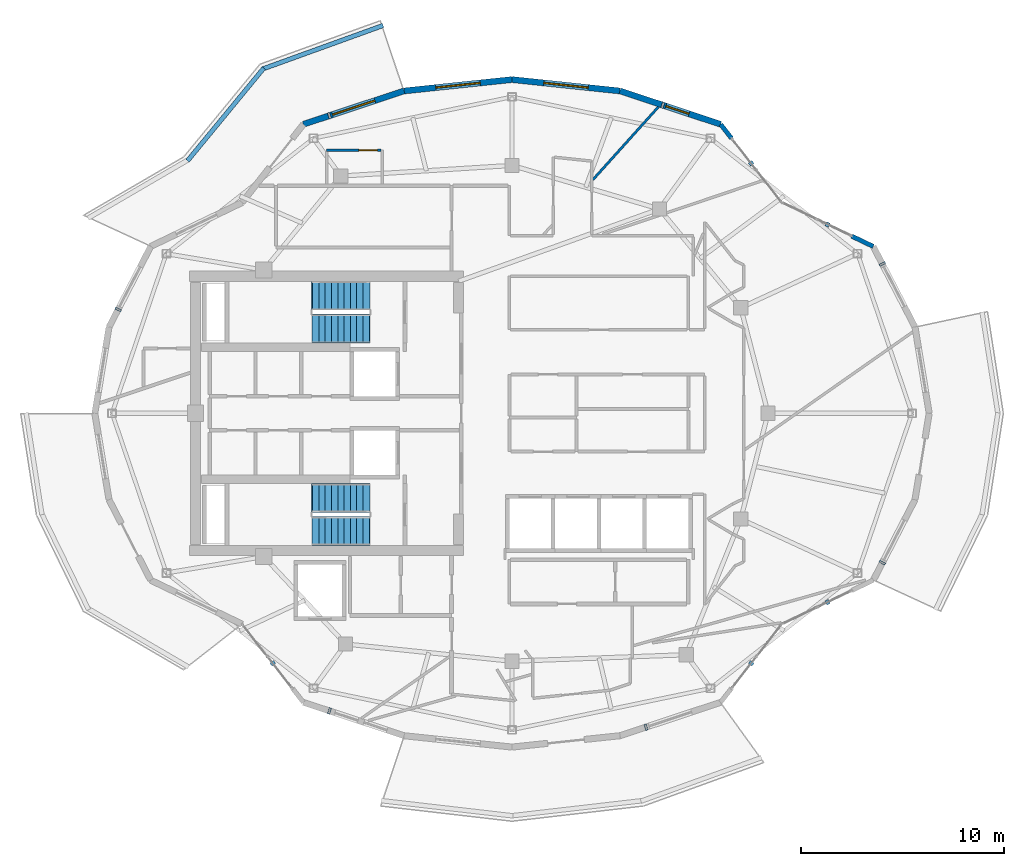
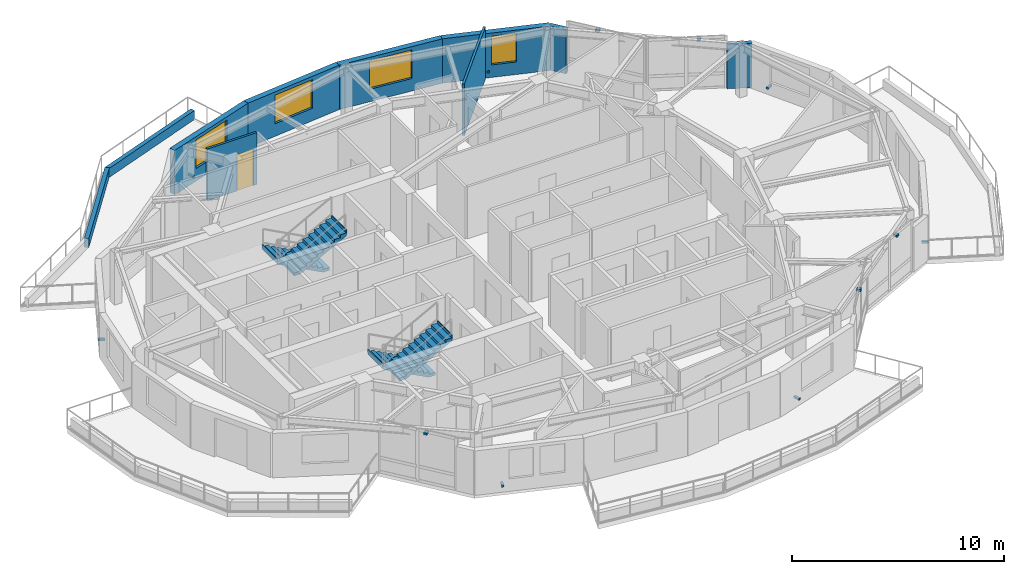
# One storey, part 11 of 15: 12 discrete accessories, 10 walls, 4 stair flights, 4 windows, 1 door, 5 openings, 2 elements without a shape of their own.
"""IFC4 building model written with IfcOpenShell, lengths in metres."""

from ifc_helpers import new_model, si_unit, direction, frame, frame_2d, origin, origin_2d, place, context, subcontext, project, spatial, polyline, rectangle, outline, extrude, material, layer, layer_set, type_object, element, fill, aggregate, save


model = new_model("IFC4")

# Units and contexts
model_context = context("Model", 3, precision=1e-05, world=origin(), true_north=direction((0.0, 1.0)))
body_context = subcontext(model_context, "Body", "Model", "MODEL_VIEW")
ifc_project = project(units=[si_unit("LENGTHUNIT", "METRE"), si_unit("AREAUNIT", "SQUARE_METRE"), si_unit("VOLUMEUNIT", "CUBIC_METRE"), si_unit("PLANEANGLEUNIT", "RADIAN"), si_unit("MASSUNIT", "GRAM", prefix="KILO")], contexts=[model_context])

# Site, building, storey
site_placement = place(None, origin())
site = spatial("IfcSite", under=ifc_project, at=site_placement, CompositionType="ELEMENT")
building_placement = place(site_placement, origin())
building = spatial("IfcBuilding", under=site, at=building_placement, Name="Kolvaren Gate Tower and Convention Centre", CompositionType="ELEMENT")
storey_placement = place(building_placement, frame((0.0, 0.0, 272.300048828125)))
storey = spatial("IfcBuildingStorey", under=building, at=storey_placement, Name="L74", CompositionType="ELEMENT", Elevation=272.300048828125)

# Wall
ifc_material_1 = material(Name="Fire-Rated Acoustic Gypsum Stud Partition", Category="gypsum")
ifc_layer_1 = layer(ifc_material_1, 0.1201171875)
ifc_layer_set_1 = layer_set([ifc_layer_1], Name="Fire-Rated Acoustic Gypsum Stud Partition")
wall_type_1 = type_object("IfcWallType", Name="ARCH-WL-PART-120", PredefinedType="PARTITIONING", material=ifc_layer_set_1)
wall_1_placement = place(storey_placement, frame((34.112060546875, 38.5029296875, 0.0), z_axis=(0.0, 0.0, 1.0), x_axis=(0.668788041067, 0.743453129744, 0.0)))
element("IfcWall", 1, at=wall_1_placement, inside=storey, type_object=wall_type_1, Name="Interior Partition WL-L74-INT-082", PredefinedType="PARTITIONING", context=body_context, shape_type="SweptSolid", body=[
    extrude(rectangle(XDim=4.809814453125, YDim=0.1201171875, at=frame_2d((2.40478515625, 0.0))), origin(), (0.0, 0.0, 1.0), 2.97998046875),
])

# Wall, opening, door
wall_2_placement = place(storey_placement, frame((21.0, 39.949951171875, 0.0), z_axis=(0.0, 0.0, 1.0), x_axis=(1.0, 0.0, 0.0)))
wall_2 = element("IfcWall", 2, at=wall_2_placement, inside=storey, type_object=wall_type_1, Name="Interior Partition WL-L74-INT-084", PredefinedType="PARTITIONING", context=body_context, shape_type="SweptSolid", body=[
    extrude(rectangle(XDim=2.68798828125, YDim=0.1201171875, at=frame_2d((1.343994140625, 0.0))), origin(), (0.0, 0.0, 1.0), 2.97998046875),
])
opening_1_placement = place(wall_2_placement, frame((1.593994140625, 0.0, 0.0)))
opening_1 = element("IfcOpeningElement", 3, at=opening_1_placement, cuts=wall_2, Name="Opening DW-01", PredefinedType="OPENING", context=body_context, shape_type="SweptSolid", body=[
    extrude(rectangle(XDim=0.89990234375, YDim=2.10009765625, at=frame_2d((0.449951171875, 1.050048828125))), frame((0.0, 0.070068359375, 0.0), z_axis=(0.0, -1.0, 0.0), x_axis=(1.0, 0.0, 0.0)), (0.0, 0.0, 1.0), 0.14013671875),
])
ifc_material_2 = material(Name="FSC Andean Oak Engineered Veneer Door Leaf", Category="wood")
door_type = type_object("IfcDoorType", Name="ARCH-DR-WC-900", OperationType="SINGLE_SWING_RIGHT", PredefinedType="DOOR", material=ifc_material_2)
door_placement = place(opening_1_placement, origin())
door = element("IfcDoor", 4, at=door_placement, inside=storey, type_object=door_type, Name="Apartment Fitted Kitchen (APT-L74-01) Door", OperationType="SINGLE_SWING_RIGHT", OverallHeight=2.10009765625, OverallWidth=0.89990234375, PredefinedType="DOOR", context=body_context, shape_type="SweptSolid", body=[
    extrude(rectangle(XDim=0.89990234375, YDim=2.10009765625, at=frame_2d((0.449951171875, 1.050048828125))), frame((0.0, 0.02490234375, 0.0), z_axis=(0.0, -1.0, 0.0), x_axis=(1.0, 0.0, 0.0)), (0.0, 0.0, 1.0), 0.050048828125),
])
fill(opening_1, door)

# Walls
ifc_material_3 = material(Name="Bogota Sabana Bush-Hammered Sandstone Cladding", Category="masonry")
ifc_layer_2 = layer(ifc_material_3, 0.219970703125)
ifc_layer_set_2 = layer_set([ifc_layer_2], Name="Bogota Sabana Bush-Hammered Sandstone Cladding")
wall_type_2 = type_object("IfcWallType", Name="ARCH-WL-PIER-220", PredefinedType="SOLIDWALL", material=ifc_layer_set_2)
wall_3_placement = place(storey_placement, frame((46.8408203125, 35.72412109375, 0.0), z_axis=(0.0, 0.0, 1.0), x_axis=(0.901303636532, -0.433187897769, 0.0)))
element("IfcWall", 5, at=wall_3_placement, inside=storey, type_object=wall_type_2, Name="Tower L74 Unitised Curtain Wall CW-RES-UNIT Bay 02 Right Column Pier Wrap", PredefinedType="SOLIDWALL", context=body_context, shape_type="SweptSolid", body=[
    extrude(rectangle(XDim=1.181396484375, YDim=0.219970703125, at=frame_2d((0.5908203125, 0.0))), origin(), (0.0, 0.0, 1.0), 2.554931640625),
])
wall_4_placement = place(storey_placement, frame((40.390625, 41.224609375, 0.0), z_axis=(0.0, 0.0, 1.0), x_axis=(0.616368366719, -0.787457958566, 0.0)))
element("IfcWall", 6, at=wall_4_placement, inside=storey, type_object=wall_type_2, Name="Tower L74 Unitised Curtain Wall CW-RES-UNIT Bay 03 Left Column Pier Wrap", PredefinedType="SOLIDWALL", context=body_context, shape_type="SweptSolid", body=[
    extrude(rectangle(XDim=0.876220703125, YDim=0.219970703125, at=frame_2d((0.43798828125, 0.0))), origin(), (0.0, 0.0, 1.0), 2.554931640625),
])
ifc_material_4 = material(Name="Piedmont Cream Honed Limestone Cladding", Category="masonry")
ifc_layer_3 = layer(ifc_material_4, 0.219970703125)
ifc_layer_set_3 = layer_set([ifc_layer_3], Name="Piedmont Cream Honed Limestone Cladding")
wall_type_3 = type_object("IfcWallType", Name="ARCH-WL-PLANTER-220", PredefinedType="PARAPET", material=ifc_layer_set_3)
wall_5_placement = place(storey_placement, frame((17.84619140625, 43.943603515625, 0.0), z_axis=(0.0, 0.0, 1.0), x_axis=(0.940465240036, 0.339889882585, 0.0)))
element("IfcWall", 7, at=wall_5_placement, inside=storey, type_object=wall_type_3, Name="Vertical-Forest Balcony Stone Planter Kerb PK-L74-1.1", PredefinedType="PARAPET", context=body_context, shape_type="SweptSolid", body=[
    extrude(rectangle(XDim=6.306640625, YDim=0.219970703125, at=frame_2d((3.1533203125, 0.0))), origin(), (0.0, 0.0, 1.0), 0.52001953125),
])
wall_6_placement = place(storey_placement, frame((14.15576171875, 39.426513671875, 0.0), z_axis=(0.0, 0.0, 1.0), x_axis=(0.635450933862, 0.772141250455, 0.0)))
element("IfcWall", 8, at=wall_6_placement, inside=storey, type_object=wall_type_3, Name="Vertical-Forest Balcony Stone Planter Kerb PK-L74-1.2", PredefinedType="PARAPET", context=body_context, shape_type="SweptSolid", body=[
    extrude(rectangle(XDim=5.91015625, YDim=0.219970703125, at=frame_2d((2.955078125, 0.0))), origin(), (0.0, 0.0, 1.0), 0.52001953125),
])

# Wall, opening, window
ifc_layer_4 = layer(ifc_material_4, 0.300048828125)
ifc_layer_set_4 = layer_set([ifc_layer_4], Name="Piedmont Cream Honed Limestone Cladding")
wall_type_4 = type_object("IfcWallType", Name="ARCH-WL-STONE-300", PredefinedType="SOLIDWALL", material=ifc_layer_set_4)
wall_7_placement = place(storey_placement, frame((35.43896484375, 42.865234375, 0.0), z_axis=(0.0, 0.0, 1.0), x_axis=(0.949252744709, -0.314514271001, 0.0)))
wall_7 = element("IfcWall", 9, at=wall_7_placement, inside=storey, type_object=wall_type_4, Name="Tower L74 Honed Stone Spandrel Wall EW-04", PredefinedType="SOLIDWALL", context=body_context, shape_type="SweptSolid", body=[
    extrude(rectangle(XDim=5.21630859375, YDim=0.300048828125, at=frame_2d((2.608154296875, 0.0))), origin(), (0.0, 0.0, 1.0), 2.554931640625),
])
opening_2_placement = place(wall_7_placement, frame((2.3798828125, 0.0, 0.719970703125)))
opening_2 = element("IfcOpeningElement", 10, at=opening_2_placement, cuts=wall_7, Name="Opening W-04", PredefinedType="OPENING", context=body_context, shape_type="SweptSolid", body=[
    extrude(rectangle(XDim=1.199951171875, YDim=1.64990234375, at=frame_2d((0.60009765625, 0.824951171875))), frame((0.0, 0.159912109375, 0.0), z_axis=(0.0, -1.0, 0.0), x_axis=(1.0, 0.0, 0.0)), (0.0, 0.0, 1.0), 0.320068359375),
])
ifc_material_5 = material(Name="Low-E Triple Insulated Glazing Unit 44 mm", Category="glass")
window_type_1 = type_object("IfcWindowType", Name="ARCH-WN-NARROW-1200", PartitioningType="SINGLE_PANEL", PredefinedType="WINDOW", material=ifc_material_5)
window_1_placement = place(opening_2_placement, origin())
window_1 = element("IfcWindow", 11, at=window_1_placement, inside=storey, type_object=window_type_1, Name="Tower L74 Punched Stone Facade Window W-04", OverallHeight=1.64990234375, OverallWidth=1.199951171875, PartitioningType="SINGLE_PANEL", PredefinedType="WINDOW", context=body_context, shape_type="SweptSolid", body=[
    extrude(rectangle(XDim=1.199951171875, YDim=1.64990234375, at=frame_2d((0.60009765625, 0.824951171875))), frame((0.0, 0.030029296875, 0.0), z_axis=(0.0, -1.0, 0.0), x_axis=(1.0, 0.0, 0.0)), (0.0, 0.0, 1.0), 0.06005859375),
])
fill(opening_2, window_1)

wall_8_placement = place(storey_placement, frame((30.125, 43.425048828125, 0.0), z_axis=(0.0, 0.0, 1.0), x_axis=(0.9944966869, -0.104768028258, 0.0)))
wall_8 = element("IfcWall", 12, at=wall_8_placement, inside=storey, type_object=wall_type_4, Name="Tower L74 Honed Stone Spandrel Wall EW-05", PredefinedType="SOLIDWALL", context=body_context, shape_type="SweptSolid", body=[
    extrude(rectangle(XDim=5.34326171875, YDim=0.300048828125, at=frame_2d((2.671630859375, 0.0))), origin(), (0.0, 0.0, 1.0), 2.554931640625),
])
opening_3_placement = place(wall_8_placement, frame((1.572021484375, 0.0, 0.719970703125)))
opening_3 = element("IfcOpeningElement", 13, at=opening_3_placement, cuts=wall_8, Name="Opening W-03", PredefinedType="OPENING", context=body_context, shape_type="SweptSolid", body=[
    extrude(rectangle(XDim=2.199951171875, YDim=1.64990234375, at=frame_2d((1.10009765625, 0.824951171875))), frame((0.0, 0.159912109375, 0.0), z_axis=(0.0, -1.0, 0.0), x_axis=(1.0, 0.0, 0.0)), (0.0, 0.0, 1.0), 0.320068359375),
])
window_type_2 = type_object("IfcWindowType", Name="ARCH-WN-RES-2200", PartitioningType="SINGLE_PANEL", PredefinedType="WINDOW", material=ifc_material_5)
window_2_placement = place(opening_3_placement, origin())
window_2 = element("IfcWindow", 14, at=window_2_placement, inside=storey, type_object=window_type_2, Name="Tower L74 Punched Stone Facade Window W-05", OverallHeight=1.64990234375, OverallWidth=2.199951171875, PartitioningType="SINGLE_PANEL", PredefinedType="WINDOW", context=body_context, shape_type="SweptSolid", body=[
    extrude(rectangle(XDim=2.199951171875, YDim=1.64990234375, at=frame_2d((1.10009765625, 0.824951171875))), frame((0.0, 0.030029296875, 0.0), z_axis=(0.0, -1.0, 0.0), x_axis=(1.0, 0.0, 0.0)), (0.0, 0.0, 1.0), 0.06005859375),
])
fill(opening_3, window_2)

wall_9_placement = place(storey_placement, frame((24.81103515625, 42.865234375, 0.0), z_axis=(0.0, 0.0, 1.0), x_axis=(0.9944966869, 0.104768028258, 0.0)))
wall_9 = element("IfcWall", 15, at=wall_9_placement, inside=storey, type_object=wall_type_4, Name="Tower L74 Honed Stone Spandrel Wall EW-06", PredefinedType="SOLIDWALL", context=body_context, shape_type="SweptSolid", body=[
    extrude(rectangle(XDim=5.34326171875, YDim=0.300048828125, at=frame_2d((2.671630859375, 0.0))), origin(), (0.0, 0.0, 1.0), 2.554931640625),
])
opening_4_placement = place(wall_9_placement, frame((1.572021484375, 0.0, 0.719970703125)))
opening_4 = element("IfcOpeningElement", 16, at=opening_4_placement, cuts=wall_9, Name="Opening W-03", PredefinedType="OPENING", context=body_context, shape_type="SweptSolid", body=[
    extrude(rectangle(XDim=2.199951171875, YDim=1.64990234375, at=frame_2d((1.10009765625, 0.824951171875))), frame((0.0, 0.159912109375, 0.0), z_axis=(0.0, -1.0, 0.0), x_axis=(1.0, 0.0, 0.0)), (0.0, 0.0, 1.0), 0.320068359375),
])
window_3_placement = place(opening_4_placement, origin())
window_3 = element("IfcWindow", 17, at=window_3_placement, inside=storey, type_object=window_type_2, Name="Tower L74 Punched Stone Facade Window W-06", OverallHeight=1.64990234375, OverallWidth=2.199951171875, PartitioningType="SINGLE_PANEL", PredefinedType="WINDOW", context=body_context, shape_type="SweptSolid", body=[
    extrude(rectangle(XDim=2.199951171875, YDim=1.64990234375, at=frame_2d((1.10009765625, 0.824951171875))), frame((0.0, 0.030029296875, 0.0), z_axis=(0.0, -1.0, 0.0), x_axis=(1.0, 0.0, 0.0)), (0.0, 0.0, 1.0), 0.06005859375),
])
fill(opening_4, window_3)

wall_10_placement = place(storey_placement, frame((19.859375, 41.224609375, 0.0), z_axis=(0.0, 0.0, 1.0), x_axis=(0.949252744709, 0.314514271001, 0.0)))
wall_10 = element("IfcWall", 18, at=wall_10_placement, inside=storey, type_object=wall_type_4, Name="Tower L74 Honed Stone Spandrel Wall EW-07", PredefinedType="SOLIDWALL", context=body_context, shape_type="SweptSolid", body=[
    extrude(rectangle(XDim=5.21630859375, YDim=0.300048828125, at=frame_2d((2.608154296875, 0.0))), origin(), (0.0, 0.0, 1.0), 2.554931640625),
])
opening_5_placement = place(wall_10_placement, frame((1.508056640625, 0.0, 0.719970703125)))
opening_5 = element("IfcOpeningElement", 19, at=opening_5_placement, cuts=wall_10, Name="Opening W-03", PredefinedType="OPENING", context=body_context, shape_type="SweptSolid", body=[
    extrude(rectangle(XDim=2.199951171875, YDim=1.64990234375, at=frame_2d((1.10009765625, 0.824951171875))), frame((0.0, 0.159912109375, 0.0), z_axis=(0.0, -1.0, 0.0), x_axis=(1.0, 0.0, 0.0)), (0.0, 0.0, 1.0), 0.320068359375),
])
window_4_placement = place(opening_5_placement, origin())
window_4 = element("IfcWindow", 20, at=window_4_placement, inside=storey, type_object=window_type_2, Name="Tower L74 Punched Stone Facade Window W-07", OverallHeight=1.64990234375, OverallWidth=2.199951171875, PartitioningType="SINGLE_PANEL", PredefinedType="WINDOW", context=body_context, shape_type="SweptSolid", body=[
    extrude(rectangle(XDim=2.199951171875, YDim=1.64990234375, at=frame_2d((1.10009765625, 0.824951171875))), frame((0.0, 0.030029296875, 0.0), z_axis=(0.0, -1.0, 0.0), x_axis=(1.0, 0.0, 0.0)), (0.0, 0.0, 1.0), 0.06005859375),
])
fill(opening_5, window_4)

# Stair, stair flights
ifc_material_6 = material(Name="Concrete C50/60", Category="concrete")
stair_type = type_object("IfcStairType", Name="STR-STAIR-CORE", PredefinedType="HALF_TURN_STAIR", material=ifc_material_6)
stair_1_placement = place(storey_placement, origin())
stair_1 = element("IfcStair", 21, at=stair_1_placement, inside=storey, type_object=stair_type, Name="L74 Tower North Exit Stair ST-T1", PredefinedType="HALF_TURN_STAIR")
stair_flight_type = type_object("IfcStairFlightType", Name="STR-SFL-1420", PredefinedType="STRAIGHT", material=ifc_material_6)
stair_flight_1_placement = place(storey_placement, frame((23.10009765625, 32.7900390625, 0.0), z_axis=(0.0, 0.0, 1.0), x_axis=(-1.0, 0.0, 0.0)))
stair_flight_1 = element("IfcStairFlight", 22, at=stair_flight_1_placement, type_object=stair_flight_type, Name="ST-T1 flight 1", NumberOfRisers=10, NumberOfTreads=9, PredefinedType="STRAIGHT", RiserHeight=0.165, TreadLength=0.31, context=body_context, shape_type="SweptSolid", body=[
    extrude(outline(polyline([(-0.034912109375, 0.0), (-0.034912109375, 0.1650390625), (0.31005859375, 0.1650390625), (0.31005859375, 0.330078125), (0.6201171875, 0.330078125), (0.6201171875, 0.4951171875), (0.929931640625, 0.4951171875), (0.929931640625, 0.659912109375), (1.239990234375, 0.659912109375), (1.239990234375, 0.824951171875), (1.550048828125, 0.824951171875), (1.550048828125, 0.989990234375), (1.860107421875, 0.989990234375), (1.860107421875, 1.155029296875), (2.169921875, 1.155029296875), (2.169921875, 1.320068359375), (2.47998046875, 1.320068359375), (2.47998046875, 1.485107421875), (2.7900390625, 1.485107421875), (2.7900390625, 1.64990234375), (2.8349609375, 1.64990234375), (2.8349609375, 1.489990234375), (2.7900390625, 1.315185546875), (0.319091796875, 0.0), (-0.034912109375, 0.0)])), frame((0.0, 0.7099609375, 0.0), z_axis=(0.0, -1.0, 0.0), x_axis=(1.0, 0.0, 0.0)), (0.0, 0.0, 1.0), 1.419921875),
])
stair_flight_2_placement = place(storey_placement, frame((20.31005859375, 31.169921875, 1.64990234375), z_axis=(0.0, 0.0, 1.0), x_axis=(1.0, 0.0, 0.0)))
stair_flight_2 = element("IfcStairFlight", 23, at=stair_flight_2_placement, type_object=stair_flight_type, Name="ST-T1 flight 2", NumberOfRisers=10, NumberOfTreads=9, PredefinedType="STRAIGHT", RiserHeight=0.165, TreadLength=0.31, context=body_context, shape_type="SweptSolid", body=[
    extrude(outline(polyline([(-0.034912109375, 0.0), (-0.034912109375, 0.1650390625), (0.31005859375, 0.1650390625), (0.31005859375, 0.330078125), (0.6201171875, 0.330078125), (0.6201171875, 0.4951171875), (0.929931640625, 0.4951171875), (0.929931640625, 0.659912109375), (1.239990234375, 0.659912109375), (1.239990234375, 0.824951171875), (1.550048828125, 0.824951171875), (1.550048828125, 0.989990234375), (1.860107421875, 0.989990234375), (1.860107421875, 1.155029296875), (2.169921875, 1.155029296875), (2.169921875, 1.320068359375), (2.47998046875, 1.320068359375), (2.47998046875, 1.485107421875), (2.7900390625, 1.485107421875), (2.7900390625, 1.64990234375), (2.8349609375, 1.64990234375), (2.8349609375, 1.489990234375), (2.7900390625, 1.315185546875), (0.319091796875, 0.0), (-0.034912109375, 0.0)])), frame((0.0, 0.7099609375, 0.0), z_axis=(0.0, -1.0, 0.0), x_axis=(1.0, 0.0, 0.0)), (0.0, 0.0, 1.0), 1.419921875),
])
aggregate(stair_1, [stair_flight_1, stair_flight_2])

stair_2_placement = place(storey_placement, origin())
stair_2 = element("IfcStair", 24, at=stair_2_placement, inside=storey, type_object=stair_type, Name="L74 Tower South Exit Stair ST-T2", PredefinedType="HALF_TURN_STAIR")
stair_flight_3_placement = place(storey_placement, frame((23.10009765625, 22.830078125, 0.0), z_axis=(0.0, 0.0, 1.0), x_axis=(-1.0, 0.0, 0.0)))
stair_flight_3 = element("IfcStairFlight", 25, at=stair_flight_3_placement, type_object=stair_flight_type, Name="ST-T2 flight 1", NumberOfRisers=10, NumberOfTreads=9, PredefinedType="STRAIGHT", RiserHeight=0.165, TreadLength=0.31, context=body_context, shape_type="SweptSolid", body=[
    extrude(outline(polyline([(-0.034912109375, 0.0), (-0.034912109375, 0.1650390625), (0.31005859375, 0.1650390625), (0.31005859375, 0.330078125), (0.6201171875, 0.330078125), (0.6201171875, 0.4951171875), (0.929931640625, 0.4951171875), (0.929931640625, 0.659912109375), (1.239990234375, 0.659912109375), (1.239990234375, 0.824951171875), (1.550048828125, 0.824951171875), (1.550048828125, 0.989990234375), (1.860107421875, 0.989990234375), (1.860107421875, 1.155029296875), (2.169921875, 1.155029296875), (2.169921875, 1.320068359375), (2.47998046875, 1.320068359375), (2.47998046875, 1.485107421875), (2.7900390625, 1.485107421875), (2.7900390625, 1.64990234375), (2.8349609375, 1.64990234375), (2.8349609375, 1.489990234375), (2.7900390625, 1.315185546875), (0.319091796875, 0.0), (-0.034912109375, 0.0)])), frame((0.0, 0.7099609375, 0.0), z_axis=(0.0, -1.0, 0.0), x_axis=(1.0, 0.0, 0.0)), (0.0, 0.0, 1.0), 1.419921875),
])
stair_flight_4_placement = place(storey_placement, frame((20.31005859375, 21.2099609375, 1.64990234375), z_axis=(0.0, 0.0, 1.0), x_axis=(1.0, 0.0, 0.0)))
stair_flight_4 = element("IfcStairFlight", 26, at=stair_flight_4_placement, type_object=stair_flight_type, Name="ST-T2 flight 2", NumberOfRisers=10, NumberOfTreads=9, PredefinedType="STRAIGHT", RiserHeight=0.165, TreadLength=0.31, context=body_context, shape_type="SweptSolid", body=[
    extrude(outline(polyline([(-0.034912109375, 0.0), (-0.034912109375, 0.1650390625), (0.31005859375, 0.1650390625), (0.31005859375, 0.330078125), (0.6201171875, 0.330078125), (0.6201171875, 0.4951171875), (0.929931640625, 0.4951171875), (0.929931640625, 0.659912109375), (1.239990234375, 0.659912109375), (1.239990234375, 0.824951171875), (1.550048828125, 0.824951171875), (1.550048828125, 0.989990234375), (1.860107421875, 0.989990234375), (1.860107421875, 1.155029296875), (2.169921875, 1.155029296875), (2.169921875, 1.320068359375), (2.47998046875, 1.320068359375), (2.47998046875, 1.485107421875), (2.7900390625, 1.485107421875), (2.7900390625, 1.64990234375), (2.8349609375, 1.64990234375), (2.8349609375, 1.489990234375), (2.7900390625, 1.315185546875), (0.319091796875, 0.0), (-0.034912109375, 0.0)])), frame((0.0, 0.7099609375, 0.0), z_axis=(0.0, -1.0, 0.0), x_axis=(1.0, 0.0, 0.0)), (0.0, 0.0, 1.0), 1.419921875),
])
aggregate(stair_2, [stair_flight_3, stair_flight_4])

# Discrete accessories
ifc_material_7 = material(Name="Anodized Architectural Aluminium Alloy 6063-T6", Category="aluminium")
discrete_accessory_type = type_object("IfcDiscreteAccessoryType", Name="ARCH-ACC-BRACKET-120", PredefinedType="BRACKET", material=ifc_material_7)
discrete_accessory_1_placement = place(storey_placement, frame((48.3515625, 34.35107421875, 0.289794921875), z_axis=(0.0, 0.0, 1.0), x_axis=(0.459793759781, -0.888025730746, 0.0)))
element("IfcDiscreteAccessory", 27, at=discrete_accessory_1_placement, inside=storey, type_object=discrete_accessory_type, Name="Ceramic Fin Wall Anchor Bracket FBK-L74-01", PredefinedType="BRACKET", context=body_context, shape_type="SweptSolid", body=[
    extrude(rectangle(XDim=0.1201171875, YDim=0.320068359375, at=origin_2d()), origin(), (0.0, 0.0, 1.0), 0.1201171875),
])
for number, where, z_axis, x_axis, name in (
    (28, (45.65478515625, 36.2939453125, 2.7998046875), (0.0, 0.0, 1.0), (0.901356122373, -0.433078677218, 0.0), "Solar Screen Spandrel Anchor Bracket BK-L74-02"),
    (29, (41.897216796875, 39.2998046875, 2.7998046875), (0.0, 0.0, 1.0), (0.616429996253, -0.787409715281, 0.0), "Solar Screen Spandrel Anchor Bracket BK-L74-03"),
):
    element("IfcDiscreteAccessory", number, at=place(storey_placement, frame(where, z_axis=z_axis, x_axis=x_axis)), inside=storey, type_object=discrete_accessory_type, Name=name, PredefinedType="BRACKET", context=body_context, shape_type="SweptSolid", body=[
        extrude(rectangle(XDim=0.179931640625, YDim=0.219970703125, at=origin_2d()), origin(), (0.0, 0.0, 1.0), 0.1201171875),
    ])
for number, where, z_axis, x_axis, name in (
    (30, (37.546142578125, 42.1669921875, 0.289794921875), (0.0, 0.0, 1.0), (0.949243375549, -0.314542547163, 0.0), "Ceramic Fin Wall Anchor Bracket FBK-L74-04"),
    (31, (21.138916015625, 41.6484375, 0.289794921875), (0.0, 0.0, 1.0), (0.949243375549, 0.314542547163, 0.0), "Ceramic Fin Wall Anchor Bracket FBK-L74-07"),
    (32, (10.739501953125, 32.112548828125, 0.289794921875), (0.0, 0.0, 1.0), (0.459793759781, 0.888025730746, 0.0), "Ceramic Fin Wall Anchor Bracket FBK-L74-10"),
):
    element("IfcDiscreteAccessory", number, at=place(storey_placement, frame(where, z_axis=z_axis, x_axis=x_axis)), inside=storey, type_object=discrete_accessory_type, Name=name, PredefinedType="BRACKET", context=body_context, shape_type="SweptSolid", body=[
        extrude(rectangle(XDim=0.1201171875, YDim=0.320068359375, at=origin_2d()), origin(), (0.0, 0.0, 1.0), 0.1201171875),
    ])
discrete_accessory_2_placement = place(storey_placement, frame((18.352783203125, 14.7001953125, 2.7998046875), z_axis=(0.0, 0.0, 1.0), x_axis=(0.616429996253, -0.787409715281, 0.0)))
element("IfcDiscreteAccessory", 33, at=discrete_accessory_2_placement, inside=storey, type_object=discrete_accessory_type, Name="Solar Screen Spandrel Anchor Bracket BK-L74-15", PredefinedType="BRACKET", context=body_context, shape_type="SweptSolid", body=[
    extrude(rectangle(XDim=0.179931640625, YDim=0.219970703125, at=origin_2d()), origin(), (0.0, 0.0, 1.0), 0.1201171875),
])
for number, where, z_axis, x_axis, name in (
    (34, (21.138916015625, 12.3515625, 0.289794921875), (0.0, 0.0, 1.0), (0.949243375549, -0.314542547163, 0.0), "Ceramic Fin Wall Anchor Bracket FBK-L74-16"),
    (35, (36.718505859375, 11.55859375, 0.289794921875), (0.0, 0.0, 1.0), (0.949243375549, 0.314542547163, 0.0), "Ceramic Fin Wall Anchor Bracket FBK-L74-19"),
):
    element("IfcDiscreteAccessory", number, at=place(storey_placement, frame(where, z_axis=z_axis, x_axis=x_axis)), inside=storey, type_object=discrete_accessory_type, Name=name, PredefinedType="BRACKET", context=body_context, shape_type="SweptSolid", body=[
        extrude(rectangle(XDim=0.1201171875, YDim=0.320068359375, at=origin_2d()), origin(), (0.0, 0.0, 1.0), 0.1201171875),
    ])
for number, where, z_axis, x_axis, name in (
    (36, (41.897216796875, 14.7001953125, 2.7998046875), (0.0, 0.0, 1.0), (0.616429996253, 0.787409715281, 0.0), "Solar Screen Spandrel Anchor Bracket BK-L74-20"),
    (37, (45.65478515625, 17.7060546875, 2.7998046875), (0.0, 0.0, 1.0), (0.901356122373, 0.433078677218, 0.0), "Solar Screen Spandrel Anchor Bracket BK-L74-21"),
):
    element("IfcDiscreteAccessory", number, at=place(storey_placement, frame(where, z_axis=z_axis, x_axis=x_axis)), inside=storey, type_object=discrete_accessory_type, Name=name, PredefinedType="BRACKET", context=body_context, shape_type="SweptSolid", body=[
        extrude(rectangle(XDim=0.179931640625, YDim=0.219970703125, at=origin_2d()), origin(), (0.0, 0.0, 1.0), 0.1201171875),
    ])
discrete_accessory_3_placement = place(storey_placement, frame((48.3515625, 19.64892578125, 0.289794921875), z_axis=(0.0, 0.0, 1.0), x_axis=(0.459793759781, 0.888025730746, 0.0)))
element("IfcDiscreteAccessory", 38, at=discrete_accessory_3_placement, inside=storey, type_object=discrete_accessory_type, Name="Ceramic Fin Wall Anchor Bracket FBK-L74-22", PredefinedType="BRACKET", context=body_context, shape_type="SweptSolid", body=[
    extrude(rectangle(XDim=0.1201171875, YDim=0.320068359375, at=origin_2d()), origin(), (0.0, 0.0, 1.0), 0.1201171875),
])

save(model, "model.ifc")
